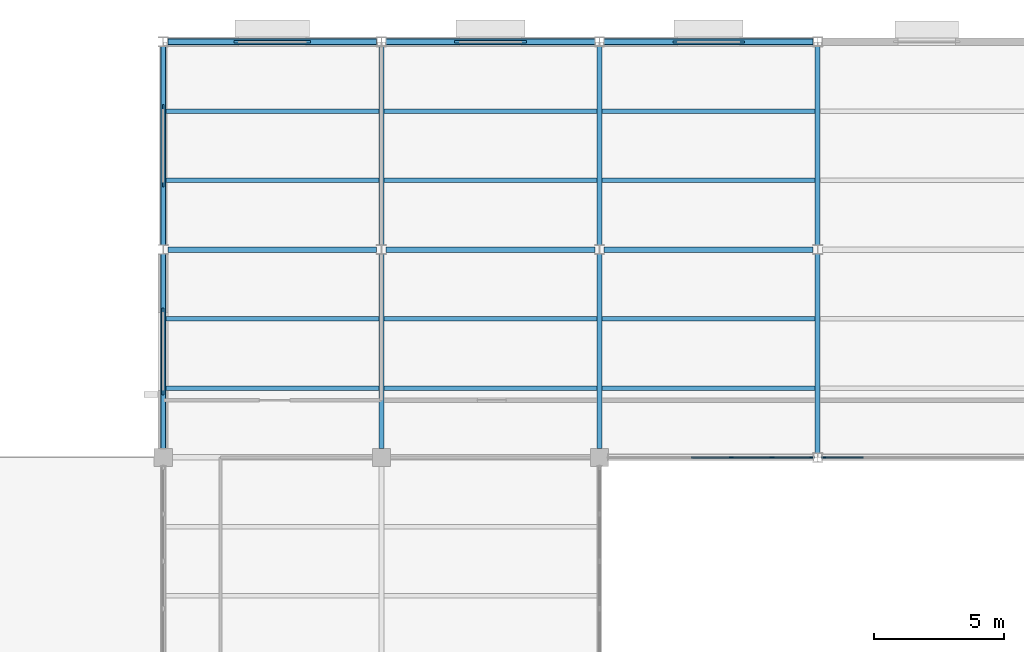
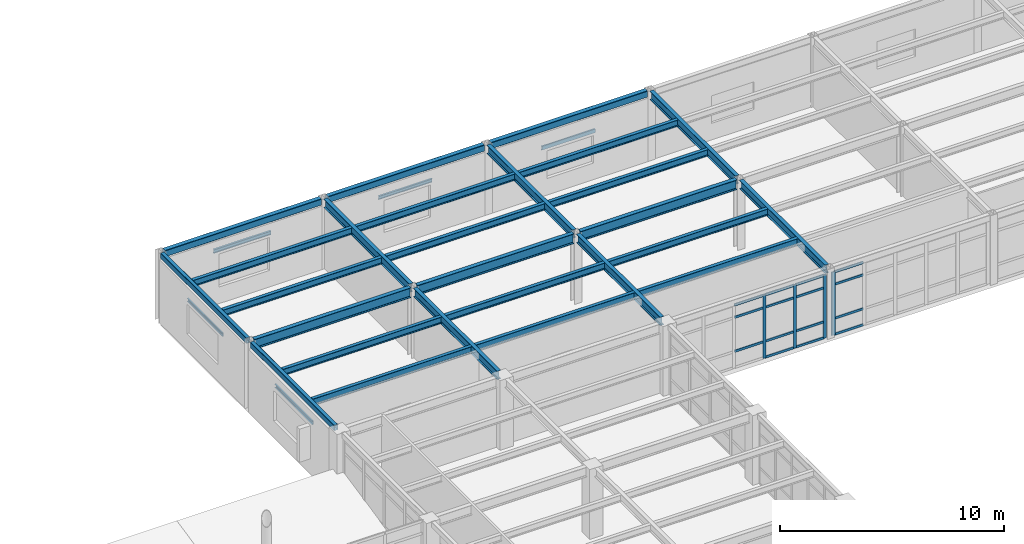
# One storey, part 49 of 138: 31 beams, 19 members, 2 elements without a shape of their own.
"""IFC4 building model written with IfcOpenShell, lengths in metres."""

from ifc_helpers import new_model, si_unit, direction, frame, origin, origin_2d, place, context, subcontext, project, spatial, rectangle, hollow_rectangle, i_section, u_section, extrude, material, layer, layer_set, material_profile, profile_set, type_object, element, aggregate, save


model = new_model("IFC4")

# Units and contexts
model_context = context("Model", 3, precision=1e-05, world=origin(), true_north=direction((0.0, 1.0)))
body_context = subcontext(model_context, "Body", "Model", "MODEL_VIEW")
ifc_project = project(units=[si_unit("LENGTHUNIT", "METRE"), si_unit("AREAUNIT", "SQUARE_METRE"), si_unit("VOLUMEUNIT", "CUBIC_METRE"), si_unit("PLANEANGLEUNIT", "RADIAN"), si_unit("MASSUNIT", "GRAM", prefix="KILO")], contexts=[model_context])

# Site, building, storey
site_placement = place(None, origin())
site = spatial("IfcSite", under=ifc_project, at=site_placement, CompositionType="ELEMENT")
building_placement = place(site_placement, origin())
building = spatial("IfcBuilding", under=site, at=building_placement, Name="Kranzveld Transit Interchange", CompositionType="ELEMENT")
storey_placement = place(building_placement, frame((0.0, 0.0, 5.43994140625)))
storey = spatial("IfcBuildingStorey", under=building, at=storey_placement, Name="L01", CompositionType="ELEMENT", Elevation=5.43994140625)

# Beams
ifc_material_1 = material(Name="Steel S355JR", Category="steel")
ifc_material_profile_1 = material_profile(ifc_material_1, i_section(OverallWidth=0.19189453125, OverallDepth=0.46337890625, WebThickness=0.010498046875, FlangeThickness=0.017578125, FilletRadius=0.01025390625, at=origin_2d()), Name="UB 457x191x89")
ifc_profile_set_1 = profile_set([ifc_material_profile_1], Name="Steel S355JR")
beam_type_1 = type_object("IfcBeamType", Name="Beam Steel UB 457x191x89 S355JR", PredefinedType="BEAM", material=ifc_profile_set_1)
beam_1_placement = place(storey_placement, frame((109.199951171875, 96.340087890625, 3.568359375), z_axis=(0.0, 1.0, 0.0), x_axis=(-1.0, 0.0, 0.0)))
element("IfcBeam", 1, at=beam_1_placement, inside=storey, type_object=beam_type_1, Name="L01 Girder 14/N-P", PredefinedType="BEAM", context=body_context, shape_type="SweptSolid", body=[
    extrude(i_section(OverallWidth=0.19189453125, OverallDepth=0.46337890625, WebThickness=0.010498046875, FlangeThickness=0.017578125, FilletRadius=0.01025390625, at=origin_2d()), origin(), (0.0, 0.0, 1.0), 7.482666015625),
])
beam_2_placement = place(storey_placement, frame((109.199951171875, 104.17724609375, 3.568359375), z_axis=(0.0, 1.0, 0.0), x_axis=(-1.0, 0.0, 0.0)))
element("IfcBeam", 2, at=beam_2_placement, inside=storey, type_object=beam_type_1, Name="L01 Girder 14/P-Q", PredefinedType="BEAM", context=body_context, shape_type="SweptSolid", body=[
    extrude(i_section(OverallWidth=0.19189453125, OverallDepth=0.46337890625, WebThickness=0.010498046875, FlangeThickness=0.017578125, FilletRadius=0.01025390625, at=origin_2d()), origin(), (0.0, 0.0, 1.0), 7.6455078125),
])
beam_3_placement = place(storey_placement, frame((117.60009765625, 96.340087890625, 3.568359375), z_axis=(0.0, 1.0, 0.0), x_axis=(-1.0, 0.0, 0.0)))
element("IfcBeam", 3, at=beam_3_placement, inside=storey, type_object=beam_type_1, Name="L01 Girder 15/N-P", PredefinedType="BEAM", context=body_context, shape_type="SweptSolid", body=[
    extrude(i_section(OverallWidth=0.19189453125, OverallDepth=0.46337890625, WebThickness=0.010498046875, FlangeThickness=0.017578125, FilletRadius=0.01025390625, at=origin_2d()), origin(), (0.0, 0.0, 1.0), 7.482666015625),
])
for number, where, z_axis, x_axis, name in (
    (4, (117.60009765625, 104.17724609375, 3.568359375), (0.0, 1.0, 0.0), (-1.0, 0.0, 0.0), "L01 Girder 15/P-Q"),
    (5, (126.0, 96.17724609375, 3.568359375), (0.0, 1.0, 0.0), (-1.0, 0.0, 0.0), "L01 Girder 16/N-P"),
    (6, (126.0, 104.17724609375, 3.568359375), (0.0, 1.0, 0.0), (-1.0, 0.0, 0.0), "L01 Girder 16/P-Q"),
):
    element("IfcBeam", number, at=place(storey_placement, frame(where, z_axis=z_axis, x_axis=x_axis)), inside=storey, type_object=beam_type_1, Name=name, PredefinedType="BEAM", context=body_context, shape_type="SweptSolid", body=[
        extrude(i_section(OverallWidth=0.19189453125, OverallDepth=0.46337890625, WebThickness=0.010498046875, FlangeThickness=0.017578125, FilletRadius=0.01025390625, at=origin_2d()), origin(), (0.0, 0.0, 1.0), 7.6455078125),
    ])

# Curtain wall, members
ifc_material_2 = material(Name="Bronze-anodised thermally broken aluminium", Category="aluminium")
ifc_layer_1 = layer(ifc_material_2, 0.155029296875)
ifc_layer_set_1 = layer_set([ifc_layer_1], Name="Bronze-anodised thermally broken aluminium")
curtain_wall_type_1 = type_object("IfcCurtainWallType", Name="Operations Courtyard Glazed Screen CW-6", PredefinedType="USERDEFINED", material=ifc_layer_set_1)
curtain_wall_1_placement = place(storey_placement, origin())
curtain_wall_1 = element("IfcCurtainWall", 7, at=curtain_wall_1_placement, inside=storey, type_object=curtain_wall_type_1, Name="L01 Curtain Wall 15/N-16/N", ObjectType="CURTAIN WALL", PredefinedType="USERDEFINED")
ifc_material_3 = material(Name="Bronze-anodised thermally broken aluminium", Category="aluminium")
ifc_material_profile_2 = material_profile(ifc_material_3, rectangle(XDim=0.06494140625, YDim=0.1650390625, at=origin_2d()), Name="ALU MULLION 65x165")
ifc_profile_set_2 = profile_set([ifc_material_profile_2], Name="Bronze-anodised thermally broken aluminium")
member_type_1 = type_object("IfcMemberType", Name="Curtain Wall Mullion 65x165 Alu", PredefinedType="MULLION", material=ifc_profile_set_2)
member_1_placement = place(storey_placement, frame((122.667724609375, 96.0, 0.0), z_axis=(0.0, 0.0, 1.0), x_axis=(0.0, 1.0, 0.0)))
member_1 = element("IfcMember", 8, at=member_1_placement, type_object=member_type_1, Name="CW-6 mullion 4", PredefinedType="MULLION", context=body_context, shape_type="SweptSolid", body=[
    extrude(rectangle(XDim=0.06494140625, YDim=0.1650390625, at=origin_2d()), origin(), (0.0, 0.0, 1.0), 3.449951171875),
])
member_2_placement = place(storey_placement, frame((124.240234375, 96.0, 0.0), z_axis=(0.0, 0.0, 1.0), x_axis=(0.0, 1.0, 0.0)))
member_2 = element("IfcMember", 9, at=member_2_placement, type_object=member_type_1, Name="CW-6 mullion 5", PredefinedType="MULLION", context=body_context, shape_type="SweptSolid", body=[
    extrude(rectangle(XDim=0.06494140625, YDim=0.1650390625, at=origin_2d()), origin(), (0.0, 0.0, 1.0), 3.449951171875),
])
member_3_placement = place(storey_placement, frame((125.7802734375, 96.0, 0.0), z_axis=(0.0, 0.0, 1.0), x_axis=(0.0, 1.0, 0.0)))
member_3 = element("IfcMember", 10, at=member_3_placement, type_object=member_type_1, Name="CW-6 mullion 6", PredefinedType="MULLION", context=body_context, shape_type="SweptSolid", body=[
    extrude(rectangle(XDim=0.06494140625, YDim=0.1650390625, at=origin_2d()), origin(), (0.0, 0.0, 1.0), 3.449951171875),
])

# Curtain wall, member
ifc_material_4 = material(Name="Bronze-anodised thermally broken aluminium", Category="aluminium")
ifc_layer_2 = layer(ifc_material_4, 0.1650390625)
ifc_layer_set_2 = layer_set([ifc_layer_2], Name="Bronze-anodised thermally broken aluminium")
curtain_wall_type_2 = type_object("IfcCurtainWallType", Name="Sunny Court Arcade Curtain Wall CW-2", PredefinedType="USERDEFINED", material=ifc_layer_set_2)
curtain_wall_2_placement = place(storey_placement, origin())
curtain_wall_2 = element("IfcCurtainWall", 11, at=curtain_wall_2_placement, inside=storey, type_object=curtain_wall_type_2, Name="L01 Curtain Wall 16/N-17/N", ObjectType="CURTAIN WALL", PredefinedType="USERDEFINED")
ifc_material_5 = material(Name="Bronze-anodised thermally broken aluminium", Category="aluminium")
ifc_material_profile_3 = material_profile(ifc_material_5, rectangle(XDim=0.06494140625, YDim=0.179931640625, at=origin_2d()), Name="ALU MULLION 65x180")
ifc_profile_set_3 = profile_set([ifc_material_profile_3], Name="Bronze-anodised thermally broken aluminium")
member_type_2 = type_object("IfcMemberType", Name="Curtain Wall Mullion 65x180 Alu", PredefinedType="MULLION", material=ifc_profile_set_3)
member_4_placement = place(storey_placement, frame((126.2197265625, 96.0, 0.0), z_axis=(0.0, 0.0, 1.0), x_axis=(0.0, 1.0, 0.0)))
member_4 = element("IfcMember", 12, at=member_4_placement, type_object=member_type_2, Name="CW-2 mullion 1", PredefinedType="MULLION", context=body_context, shape_type="SweptSolid", body=[
    extrude(rectangle(XDim=0.06494140625, YDim=0.179931640625, at=origin_2d()), origin(), (0.0, 0.0, 1.0), 3.449951171875),
])

# Member
ifc_material_6 = material(Name="Bronze-anodised thermally broken aluminium", Category="aluminium")
ifc_material_profile_4 = material_profile(ifc_material_6, rectangle(XDim=0.06005859375, YDim=0.125, at=origin_2d()), Name="ALU TRANSOM 60x125")
ifc_profile_set_4 = profile_set([ifc_material_profile_4], Name="Bronze-anodised thermally broken aluminium")
member_type_3 = type_object("IfcMemberType", Name="Curtain Wall Transom 60x125 Alu", PredefinedType="USERDEFINED", material=ifc_profile_set_4)
member_5_placement = place(storey_placement, frame((121.127685546875, 96.0, 0.900146484375), z_axis=(1.0, 0.0, 0.0), x_axis=(0.0, 1.0, 0.0)))
member_5 = element("IfcMember", 13, at=member_5_placement, type_object=member_type_3, Name="CW-6 transom 3.2", ObjectType="TRANSOM", PredefinedType="USERDEFINED", context=body_context, shape_type="SweptSolid", body=[
    extrude(rectangle(XDim=0.06005859375, YDim=0.125, at=origin_2d()), origin(), (0.0, 0.0, 1.0), 1.50732421875),
])

member_6_placement = place(storey_placement, frame((121.127685546875, 96.0, 2.75), z_axis=(1.0, 0.0, 0.0), x_axis=(0.0, 1.0, 0.0)))
member_6 = element("IfcMember", 14, at=member_6_placement, type_object=member_type_3, Name="CW-6 transom 3.3", ObjectType="TRANSOM", PredefinedType="USERDEFINED", context=body_context, shape_type="SweptSolid", body=[
    extrude(rectangle(XDim=0.06005859375, YDim=0.125, at=origin_2d()), origin(), (0.0, 0.0, 1.0), 1.50732421875),
])

member_7_placement = place(storey_placement, frame((121.127685546875, 96.0, 3.420166015625), z_axis=(1.0, 0.0, 0.0), x_axis=(0.0, 1.0, 0.0)))
member_7 = element("IfcMember", 15, at=member_7_placement, type_object=member_type_3, Name="CW-6 transom 3.4", ObjectType="TRANSOM", PredefinedType="USERDEFINED", context=body_context, shape_type="SweptSolid", body=[
    extrude(rectangle(XDim=0.06005859375, YDim=0.125, at=origin_2d()), origin(), (0.0, 0.0, 1.0), 1.50732421875),
])

member_8_placement = place(storey_placement, frame((122.7001953125, 96.0, 0.030029296875), z_axis=(1.0, 0.0, 0.0), x_axis=(0.0, 1.0, 0.0)))
member_8 = element("IfcMember", 16, at=member_8_placement, type_object=member_type_3, Name="CW-6 transom 4.1", ObjectType="TRANSOM", PredefinedType="USERDEFINED", context=body_context, shape_type="SweptSolid", body=[
    extrude(rectangle(XDim=0.06005859375, YDim=0.125, at=origin_2d()), origin(), (0.0, 0.0, 1.0), 1.507568359375),
])

member_9_placement = place(storey_placement, frame((122.7001953125, 96.0, 0.900146484375), z_axis=(1.0, 0.0, 0.0), x_axis=(0.0, 1.0, 0.0)))
member_9 = element("IfcMember", 17, at=member_9_placement, type_object=member_type_3, Name="CW-6 transom 4.2", ObjectType="TRANSOM", PredefinedType="USERDEFINED", context=body_context, shape_type="SweptSolid", body=[
    extrude(rectangle(XDim=0.06005859375, YDim=0.125, at=origin_2d()), origin(), (0.0, 0.0, 1.0), 1.507568359375),
])

member_10_placement = place(storey_placement, frame((122.7001953125, 96.0, 2.75), z_axis=(1.0, 0.0, 0.0), x_axis=(0.0, 1.0, 0.0)))
member_10 = element("IfcMember", 18, at=member_10_placement, type_object=member_type_3, Name="CW-6 transom 4.3", ObjectType="TRANSOM", PredefinedType="USERDEFINED", context=body_context, shape_type="SweptSolid", body=[
    extrude(rectangle(XDim=0.06005859375, YDim=0.125, at=origin_2d()), origin(), (0.0, 0.0, 1.0), 1.507568359375),
])

member_11_placement = place(storey_placement, frame((122.7001953125, 96.0, 3.420166015625), z_axis=(1.0, 0.0, 0.0), x_axis=(0.0, 1.0, 0.0)))
member_11 = element("IfcMember", 19, at=member_11_placement, type_object=member_type_3, Name="CW-6 transom 4.4", ObjectType="TRANSOM", PredefinedType="USERDEFINED", context=body_context, shape_type="SweptSolid", body=[
    extrude(rectangle(XDim=0.06005859375, YDim=0.125, at=origin_2d()), origin(), (0.0, 0.0, 1.0), 1.507568359375),
])

member_12_placement = place(storey_placement, frame((124.272705078125, 96.0, 0.030029296875), z_axis=(1.0, 0.0, 0.0), x_axis=(0.0, 1.0, 0.0)))
member_12 = element("IfcMember", 20, at=member_12_placement, type_object=member_type_3, Name="CW-6 transom 5.1", ObjectType="TRANSOM", PredefinedType="USERDEFINED", context=body_context, shape_type="SweptSolid", body=[
    extrude(rectangle(XDim=0.06005859375, YDim=0.125, at=origin_2d()), origin(), (0.0, 0.0, 1.0), 1.47509765625),
])

member_13_placement = place(storey_placement, frame((124.272705078125, 96.0, 0.900146484375), z_axis=(1.0, 0.0, 0.0), x_axis=(0.0, 1.0, 0.0)))
member_13 = element("IfcMember", 21, at=member_13_placement, type_object=member_type_3, Name="CW-6 transom 5.2", ObjectType="TRANSOM", PredefinedType="USERDEFINED", context=body_context, shape_type="SweptSolid", body=[
    extrude(rectangle(XDim=0.06005859375, YDim=0.125, at=origin_2d()), origin(), (0.0, 0.0, 1.0), 1.47509765625),
])

member_14_placement = place(storey_placement, frame((124.272705078125, 96.0, 2.75), z_axis=(1.0, 0.0, 0.0), x_axis=(0.0, 1.0, 0.0)))
member_14 = element("IfcMember", 22, at=member_14_placement, type_object=member_type_3, Name="CW-6 transom 5.3", ObjectType="TRANSOM", PredefinedType="USERDEFINED", context=body_context, shape_type="SweptSolid", body=[
    extrude(rectangle(XDim=0.06005859375, YDim=0.125, at=origin_2d()), origin(), (0.0, 0.0, 1.0), 1.47509765625),
])

member_15_placement = place(storey_placement, frame((124.272705078125, 96.0, 3.420166015625), z_axis=(1.0, 0.0, 0.0), x_axis=(0.0, 1.0, 0.0)))
member_15 = element("IfcMember", 23, at=member_15_placement, type_object=member_type_3, Name="CW-6 transom 5.4", ObjectType="TRANSOM", PredefinedType="USERDEFINED", context=body_context, shape_type="SweptSolid", body=[
    extrude(rectangle(XDim=0.06005859375, YDim=0.125, at=origin_2d()), origin(), (0.0, 0.0, 1.0), 1.47509765625),
])

aggregate(curtain_wall_1, [member_1, member_2, member_3, member_5, member_6, member_7, member_8, member_9, member_10, member_11, member_12, member_13, member_14, member_15])

member_16_placement = place(storey_placement, frame((126.252197265625, 96.0, 0.030029296875), z_axis=(1.0, 0.0, 0.0), x_axis=(0.0, 1.0, 0.0)))
member_16 = element("IfcMember", 24, at=member_16_placement, type_object=member_type_3, Name="CW-2 transom 1.1", ObjectType="TRANSOM", PredefinedType="USERDEFINED", context=body_context, shape_type="SweptSolid", body=[
    extrude(rectangle(XDim=0.06005859375, YDim=0.125, at=origin_2d()), origin(), (0.0, 0.0, 1.0), 1.507568359375),
])

member_17_placement = place(storey_placement, frame((126.252197265625, 96.0, 0.900146484375), z_axis=(1.0, 0.0, 0.0), x_axis=(0.0, 1.0, 0.0)))
member_17 = element("IfcMember", 25, at=member_17_placement, type_object=member_type_3, Name="CW-2 transom 1.2", ObjectType="TRANSOM", PredefinedType="USERDEFINED", context=body_context, shape_type="SweptSolid", body=[
    extrude(rectangle(XDim=0.06005859375, YDim=0.125, at=origin_2d()), origin(), (0.0, 0.0, 1.0), 1.507568359375),
])

member_18_placement = place(storey_placement, frame((126.252197265625, 96.0, 2.75), z_axis=(1.0, 0.0, 0.0), x_axis=(0.0, 1.0, 0.0)))
member_18 = element("IfcMember", 26, at=member_18_placement, type_object=member_type_3, Name="CW-2 transom 1.3", ObjectType="TRANSOM", PredefinedType="USERDEFINED", context=body_context, shape_type="SweptSolid", body=[
    extrude(rectangle(XDim=0.06005859375, YDim=0.125, at=origin_2d()), origin(), (0.0, 0.0, 1.0), 1.507568359375),
])

member_19_placement = place(storey_placement, frame((126.252197265625, 96.0, 3.420166015625), z_axis=(1.0, 0.0, 0.0), x_axis=(0.0, 1.0, 0.0)))
member_19 = element("IfcMember", 27, at=member_19_placement, type_object=member_type_3, Name="CW-2 transom 1.4", ObjectType="TRANSOM", PredefinedType="USERDEFINED", context=body_context, shape_type="SweptSolid", body=[
    extrude(rectangle(XDim=0.06005859375, YDim=0.125, at=origin_2d()), origin(), (0.0, 0.0, 1.0), 1.507568359375),
])

aggregate(curtain_wall_2, [member_4, member_16, member_17, member_18, member_19])

# Beams
ifc_material_7 = material(Name="Steel S355JR", Category="steel")
ifc_material_profile_5 = material_profile(ifc_material_7, hollow_rectangle(XDim=0.199951171875, YDim=0.300048828125, WallThickness=0.010009765625, InnerFilletRadius=0.014892578125, OuterFilletRadius=0.02490234375, at=origin_2d()), Name="RHS 300x200x10")
ifc_profile_set_5 = profile_set([ifc_material_profile_5], Name="Steel S355JR")
beam_type_2 = type_object("IfcBeamType", Name="Edge Spandrel RHS 300x200x10 S355JR", PredefinedType="SPANDREL", material=ifc_profile_set_5)
beam_4_placement = place(storey_placement, frame((100.800048828125, 96.340087890625, 3.650146484375), z_axis=(0.0, 1.0, 0.0), x_axis=(-1.0, 0.0, 0.0)))
element("IfcBeam", 28, at=beam_4_placement, inside=storey, type_object=beam_type_2, Name="L01 Girder 13/N-P", PredefinedType="SPANDREL", context=body_context, shape_type="SweptSolid", body=[
    extrude(hollow_rectangle(XDim=0.199951171875, YDim=0.300048828125, WallThickness=0.010009765625, InnerFilletRadius=0.014892578125, OuterFilletRadius=0.02490234375, at=origin_2d()), origin(), (0.0, 0.0, 1.0), 7.482666015625),
])
beam_5_placement = place(storey_placement, frame((100.800048828125, 104.17724609375, 3.650146484375), z_axis=(0.0, 1.0, 0.0), x_axis=(-1.0, 0.0, 0.0)))
element("IfcBeam", 29, at=beam_5_placement, inside=storey, type_object=beam_type_2, Name="L01 Girder 13/P-Q", PredefinedType="SPANDREL", context=body_context, shape_type="SweptSolid", body=[
    extrude(hollow_rectangle(XDim=0.199951171875, YDim=0.300048828125, WallThickness=0.010009765625, InnerFilletRadius=0.014892578125, OuterFilletRadius=0.02490234375, at=origin_2d()), origin(), (0.0, 0.0, 1.0), 7.6455078125),
])
ifc_material_8 = material(Name="Steel S355JR", Category="steel")
ifc_material_profile_6 = material_profile(ifc_material_8, hollow_rectangle(XDim=0.25, YDim=0.35009765625, WallThickness=0.012451171875, InnerFilletRadius=0.018798828125, OuterFilletRadius=0.03125, at=origin_2d()), Name="RHS 350x250x12.5")
ifc_profile_set_6 = profile_set([ifc_material_profile_6], Name="Steel S355JR")
beam_type_3 = type_object("IfcBeamType", Name="Edge Spandrel RHS 350x250x12.5 S355JR", PredefinedType="SPANDREL", material=ifc_profile_set_6)
for number, where, z_axis, x_axis, name in (
    (30, (100.977294921875, 112.0, 3.625), (1.0, 0.0, 0.0), (0.0, 1.0, 0.0), "L01 Girder 13-14/Q"),
    (31, (109.377197265625, 112.0, 3.625), (1.0, 0.0, 0.0), (0.0, 1.0, 0.0), "L01 Girder 14-15/Q"),
    (32, (117.77734375, 112.0, 3.625), (1.0, 0.0, 0.0), (0.0, 1.0, 0.0), "L01 Girder 15-16/Q"),
):
    element("IfcBeam", number, at=place(storey_placement, frame(where, z_axis=z_axis, x_axis=x_axis)), inside=storey, type_object=beam_type_3, Name=name, PredefinedType="SPANDREL", context=body_context, shape_type="SweptSolid", body=[
        extrude(hollow_rectangle(XDim=0.25, YDim=0.35009765625, WallThickness=0.012451171875, InnerFilletRadius=0.018798828125, OuterFilletRadius=0.03125, at=origin_2d()), origin(), (0.0, 0.0, 1.0), 8.04541015625),
    ])
ifc_material_9 = material(Name="Steel S355JR", Category="steel")
ifc_material_profile_7 = material_profile(ifc_material_9, i_section(OverallWidth=0.172119140625, OverallDepth=0.35791015625, WebThickness=0.008056640625, FlangeThickness=0.012939453125, FilletRadius=0.01025390625, at=origin_2d()), Name="UB 356x171x57")
ifc_profile_set_7 = profile_set([ifc_material_profile_7], Name="Steel S355JR")
beam_type_4 = type_object("IfcBeamType", Name="Floor Joist UB 356x171x57 S355JR", PredefinedType="JOIST", material=ifc_profile_set_7)
for number, where, z_axis, x_axis, name in (
    (33, (100.902099609375, 98.666748046875, 3.62109375), (1.0, 0.0, 0.0), (0.0, 1.0, 0.0), "L01 Secondary Joist 13-14/N.1"),
    (34, (100.902099609375, 101.333251953125, 3.62109375), (1.0, 0.0, 0.0), (0.0, 1.0, 0.0), "L01 Secondary Joist 13-14/N.2"),
    (35, (100.902099609375, 106.666748046875, 3.62109375), (1.0, 0.0, 0.0), (0.0, 1.0, 0.0), "L01 Secondary Joist 13-14/P.1"),
    (36, (100.902099609375, 109.333251953125, 3.62109375), (1.0, 0.0, 0.0), (0.0, 1.0, 0.0), "L01 Secondary Joist 13-14/P.2"),
):
    element("IfcBeam", number, at=place(storey_placement, frame(where, z_axis=z_axis, x_axis=x_axis)), inside=storey, type_object=beam_type_4, Name=name, PredefinedType="JOIST", context=body_context, shape_type="SweptSolid", body=[
        extrude(i_section(OverallWidth=0.172119140625, OverallDepth=0.35791015625, WebThickness=0.008056640625, FlangeThickness=0.012939453125, FilletRadius=0.01025390625, at=origin_2d()), origin(), (0.0, 0.0, 1.0), 8.199951171875),
    ])
for number, where, z_axis, x_axis, name in (
    (37, (109.2978515625, 98.666748046875, 3.62109375), (1.0, 0.0, 0.0), (0.0, 1.0, 0.0), "L01 Secondary Joist 14-15/N.1"),
    (38, (109.2978515625, 101.333251953125, 3.62109375), (1.0, 0.0, 0.0), (0.0, 1.0, 0.0), "L01 Secondary Joist 14-15/N.2"),
    (39, (109.2978515625, 106.666748046875, 3.62109375), (1.0, 0.0, 0.0), (0.0, 1.0, 0.0), "L01 Secondary Joist 14-15/P.1"),
    (40, (109.2978515625, 109.333251953125, 3.62109375), (1.0, 0.0, 0.0), (0.0, 1.0, 0.0), "L01 Secondary Joist 14-15/P.2"),
    (41, (117.697998046875, 98.666748046875, 3.62109375), (1.0, 0.0, 0.0), (0.0, 1.0, 0.0), "L01 Secondary Joist 15-16/N.1"),
    (42, (117.697998046875, 101.333251953125, 3.62109375), (1.0, 0.0, 0.0), (0.0, 1.0, 0.0), "L01 Secondary Joist 15-16/N.2"),
    (43, (117.697998046875, 106.666748046875, 3.62109375), (1.0, 0.0, 0.0), (0.0, 1.0, 0.0), "L01 Secondary Joist 15-16/P.1"),
    (44, (117.697998046875, 109.333251953125, 3.62109375), (1.0, 0.0, 0.0), (0.0, 1.0, 0.0), "L01 Secondary Joist 15-16/P.2"),
):
    element("IfcBeam", number, at=place(storey_placement, frame(where, z_axis=z_axis, x_axis=x_axis)), inside=storey, type_object=beam_type_4, Name=name, PredefinedType="JOIST", context=body_context, shape_type="SweptSolid", body=[
        extrude(i_section(OverallWidth=0.172119140625, OverallDepth=0.35791015625, WebThickness=0.008056640625, FlangeThickness=0.012939453125, FilletRadius=0.01025390625, at=origin_2d()), origin(), (0.0, 0.0, 1.0), 8.2041015625),
    ])
ifc_material_10 = material(Name="Steel S355JR", Category="steel")
ifc_material_profile_8 = material_profile(ifc_material_10, i_section(OverallWidth=0.210693359375, OverallDepth=0.53955078125, WebThickness=0.01171875, FlangeThickness=0.018798828125, FilletRadius=0.0126953125, at=origin_2d()), Name="UB 533x210x109")
ifc_profile_set_8 = profile_set([ifc_material_profile_8], Name="Steel S355JR")
beam_type_5 = type_object("IfcBeamType", Name="Girder Steel UB 533x210x109 S355JR", PredefinedType="BEAM", material=ifc_profile_set_8)
for number, where, z_axis, x_axis, name in (
    (45, (100.977294921875, 104.0, 3.5302734375), (1.0, 0.0, 0.0), (0.0, 1.0, 0.0), "L01 Girder 13-14/P"),
    (46, (109.377197265625, 104.0, 3.5302734375), (1.0, 0.0, 0.0), (0.0, 1.0, 0.0), "L01 Girder 14-15/P"),
    (47, (117.77734375, 104.0, 3.5302734375), (1.0, 0.0, 0.0), (0.0, 1.0, 0.0), "L01 Girder 15-16/P"),
):
    element("IfcBeam", number, at=place(storey_placement, frame(where, z_axis=z_axis, x_axis=x_axis)), inside=storey, type_object=beam_type_5, Name=name, PredefinedType="BEAM", context=body_context, shape_type="SweptSolid", body=[
        extrude(i_section(OverallWidth=0.210693359375, OverallDepth=0.53955078125, WebThickness=0.01171875, FlangeThickness=0.018798828125, FilletRadius=0.0126953125, at=origin_2d()), origin(), (0.0, 0.0, 1.0), 8.04541015625),
    ])
ifc_material_11 = material(Name="Steel S355JR", Category="steel")
ifc_material_profile_9 = material_profile(ifc_material_11, u_section(Depth=0.179931640625, FlangeWidth=0.070068359375, WebThickness=0.007080078125, FlangeThickness=0.010986328125, FilletRadius=0.010009765625, at=origin_2d()), Name="PFC 180x70x22")
ifc_profile_set_9 = profile_set([ifc_material_profile_9], Name="Steel S355JR")
beam_type_6 = type_object("IfcBeamType", Name="Masonry Lintel PFC 180x70x22 S355JR", PredefinedType="LINTEL", material=ifc_profile_set_9)
beam_6_placement = place(storey_placement, frame((100.800048828125, 106.419921875, 2.594970703125), z_axis=(0.0, 1.0, 0.0), x_axis=(-1.0, 0.0, 0.0)))
element("IfcBeam", 48, at=beam_6_placement, inside=storey, type_object=beam_type_6, Name="L01 Window Lintel 085", PredefinedType="LINTEL", context=body_context, shape_type="SweptSolid", body=[
    extrude(u_section(Depth=0.179931640625, FlangeWidth=0.070068359375, WebThickness=0.007080078125, FlangeThickness=0.010986328125, FilletRadius=0.010009765625, at=origin_2d()), origin(), (0.0, 0.0, 1.0), 3.16015625),
])
ifc_material_12 = material(Name="Steel S355JR", Category="steel")
ifc_material_profile_10 = material_profile(ifc_material_12, u_section(Depth=0.199951171875, FlangeWidth=0.074951171875, WebThickness=0.006103515625, FlangeThickness=0.012451171875, FilletRadius=0.011962890625, at=origin_2d()), Name="PFC 200x75x23")
ifc_profile_set_10 = profile_set([ifc_material_profile_10], Name="Steel S355JR")
beam_type_7 = type_object("IfcBeamType", Name="Masonry Lintel PFC 200x75x23 S355JR", PredefinedType="LINTEL", material=ifc_profile_set_10)
beam_7_placement = place(storey_placement, frame((100.800048828125, 98.4013671875, 2.655029296875), z_axis=(0.0, 1.0, 0.0), x_axis=(-1.0, 0.0, 0.0)))
element("IfcBeam", 49, at=beam_7_placement, inside=storey, type_object=beam_type_7, Name="L01 Window Lintel 084", PredefinedType="LINTEL", context=body_context, shape_type="SweptSolid", body=[
    extrude(u_section(Depth=0.199951171875, FlangeWidth=0.074951171875, WebThickness=0.006103515625, FlangeThickness=0.012451171875, FilletRadius=0.011962890625, at=origin_2d()), origin(), (0.0, 0.0, 1.0), 3.360107421875),
])
beam_8_placement = place(storey_placement, frame((120.419921875, 112.0, 2.505126953125), z_axis=(1.0, 0.0, 0.0), x_axis=(0.0, 1.0, 0.0)))
element("IfcBeam", 50, at=beam_8_placement, inside=storey, type_object=beam_type_7, Name="L01 Window Lintel 088", PredefinedType="LINTEL", context=body_context, shape_type="SweptSolid", body=[
    extrude(u_section(Depth=0.199951171875, FlangeWidth=0.074951171875, WebThickness=0.006103515625, FlangeThickness=0.012451171875, FilletRadius=0.011962890625, at=origin_2d()), origin(), (0.0, 0.0, 1.0), 2.760009765625),
])
ifc_material_13 = material(Name="Steel S355JR", Category="steel")
ifc_material_profile_11 = material_profile(ifc_material_13, i_section(OverallWidth=0.091064453125, OverallDepth=0.179931640625, WebThickness=0.00537109375, FlangeThickness=0.008056640625, FilletRadius=0.009033203125, at=origin_2d()), Name="IPE 180")
ifc_profile_set_11 = profile_set([ifc_material_profile_11], Name="Steel S355JR")
beam_type_8 = type_object("IfcBeamType", Name="Opening Lintel IPE 180 S355JR", PredefinedType="LINTEL", material=ifc_profile_set_11)
beam_9_placement = place(storey_placement, frame((112.02001953125, 112.0, 2.7451171875), z_axis=(1.0, 0.0, 0.0), x_axis=(0.0, 1.0, 0.0)))
element("IfcBeam", 51, at=beam_9_placement, inside=storey, type_object=beam_type_8, Name="L01 Window Lintel 087", PredefinedType="LINTEL", context=body_context, shape_type="SweptSolid", body=[
    extrude(i_section(OverallWidth=0.091064453125, OverallDepth=0.179931640625, WebThickness=0.00537109375, FlangeThickness=0.008056640625, FilletRadius=0.009033203125, at=origin_2d()), origin(), (0.0, 0.0, 1.0), 2.760009765625),
])
ifc_material_14 = material(Name="Steel S355JR", Category="steel")
ifc_material_profile_12 = material_profile(ifc_material_14, i_section(OverallWidth=0.10009765625, OverallDepth=0.199951171875, WebThickness=0.005615234375, FlangeThickness=0.008544921875, FilletRadius=0.011962890625, at=origin_2d()), Name="IPE 200")
ifc_profile_set_12 = profile_set([ifc_material_profile_12], Name="Steel S355JR")
beam_type_9 = type_object("IfcBeamType", Name="Opening Lintel IPE 200 S355JR", PredefinedType="LINTEL", material=ifc_profile_set_12)
beam_10_placement = place(storey_placement, frame((103.52001953125, 112.0, 2.80517578125), z_axis=(1.0, 0.0, 0.0), x_axis=(0.0, 1.0, 0.0)))
element("IfcBeam", 52, at=beam_10_placement, inside=storey, type_object=beam_type_9, Name="L01 Window Lintel 086", PredefinedType="LINTEL", context=body_context, shape_type="SweptSolid", body=[
    extrude(i_section(OverallWidth=0.10009765625, OverallDepth=0.199951171875, WebThickness=0.005615234375, FlangeThickness=0.008544921875, FilletRadius=0.011962890625, at=origin_2d()), origin(), (0.0, 0.0, 1.0), 2.9599609375),
])

save(model, "model.ifc")
